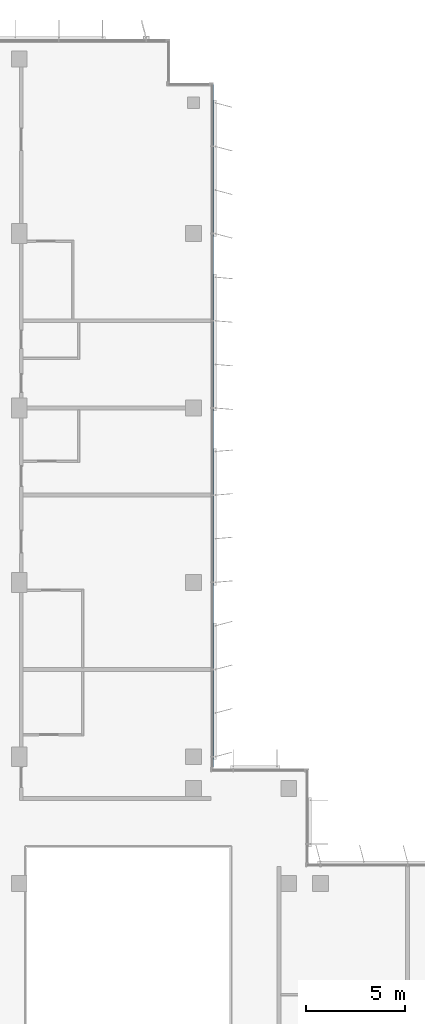
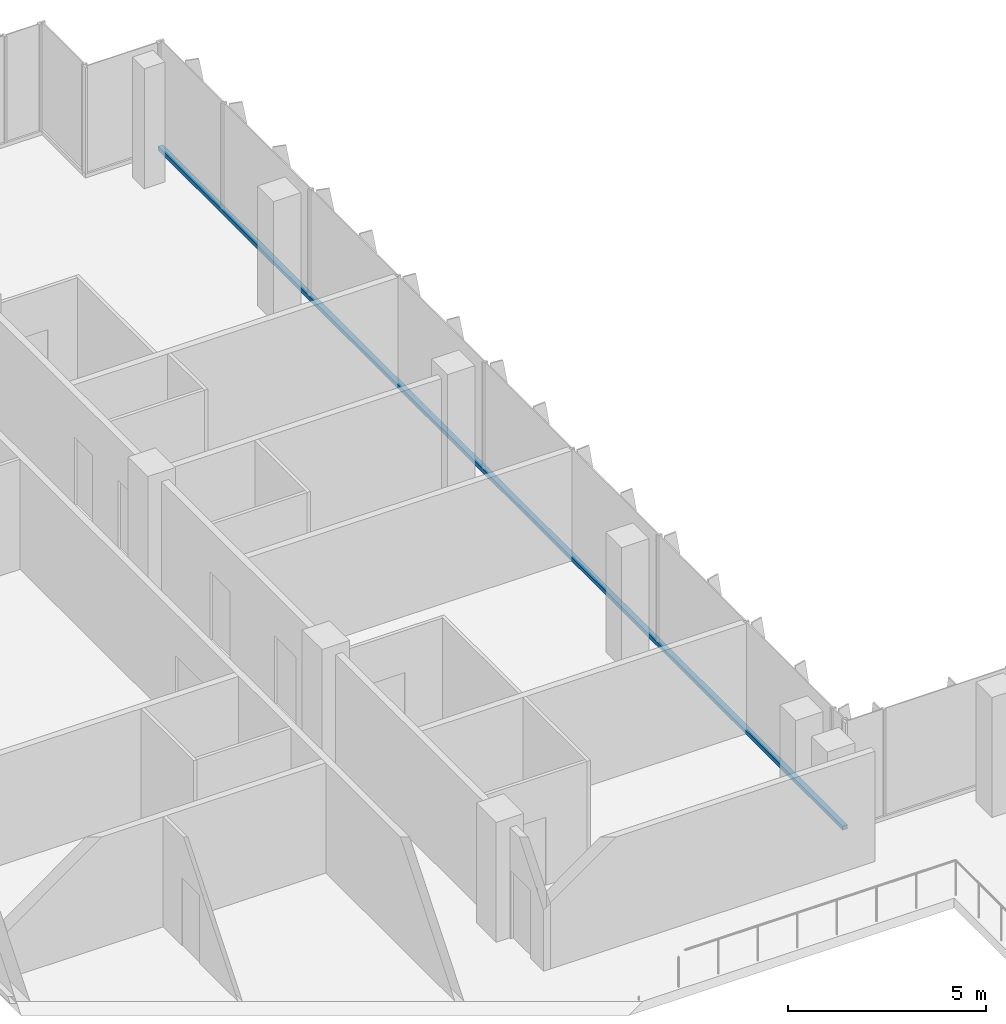
# One storey, part 5 of 15: 1 member, 1 element without a shape of its own.
"""IFC4 building model written with IfcOpenShell, lengths in metres."""

from ifc_helpers import new_model, si_unit, direction, frame, origin, origin_2d, place, context, subcontext, project, spatial, rectangle, extrude, material, material_profile, profile_set, type_object, element, aggregate, save


model = new_model("IFC4")

# Units and contexts
model_context = context("Model", 3, precision=1e-05, world=origin(), true_north=direction((0.0, 1.0)))
body_context = subcontext(model_context, "Body", "Model", "MODEL_VIEW")
ifc_project = project(units=[si_unit("LENGTHUNIT", "METRE"), si_unit("AREAUNIT", "SQUARE_METRE"), si_unit("VOLUMEUNIT", "CUBIC_METRE"), si_unit("PLANEANGLEUNIT", "RADIAN"), si_unit("MASSUNIT", "GRAM", prefix="KILO")], contexts=[model_context])

# Site, building, storey
site_placement = place(None, origin())
site = spatial("IfcSite", under=ifc_project, at=site_placement, CompositionType="ELEMENT")
building_placement = place(site_placement, origin())
building = spatial("IfcBuilding", under=site, at=building_placement, Name="Kemantara Hotel Tower", CompositionType="ELEMENT")
storey_placement = place(building_placement, frame((0.0, 0.0, 279.60009765625)))
storey = spatial("IfcBuildingStorey", under=building, at=storey_placement, Name="L70", CompositionType="ELEMENT", Elevation=279.60009765625)

# Curtain wall, member
ifc_material_1 = material(Name="Low-E tinted double insulated glass 36 mm", Category="glass")
curtain_wall_type = type_object("IfcCurtainWallType", Name="TOWER CURTAIN WALL, FRONT FACES", PredefinedType="USERDEFINED", material=ifc_material_1)
curtain_wall_placement = place(storey_placement, origin())
curtain_wall = element("IfcCurtainWall", 1, at=curtain_wall_placement, inside=storey, type_object=curtain_wall_type, Name="CW4 L70 T4-R15-1", ObjectType="TOWER CURTAIN WALL, FRONT FACES", PredefinedType="USERDEFINED")
ifc_material_2 = material(Name="Aluminium 6063-T6 bronze anodised", Category="aluminium")
ifc_material_profile = material_profile(ifc_material_2, rectangle(XDim=0.14990234375, YDim=0.1201171875, at=origin_2d()), Name="TOWER CURTAIN WALL, FRONT FACES TRANSOM")
ifc_profile_set = profile_set([ifc_material_profile], Name="Aluminium 6063-T6 bronze anodised")
member_type = type_object("IfcMemberType", Name="TOWER CURTAIN WALL, FRONT FACES TRANSOM", PredefinedType="USERDEFINED", material=ifc_profile_set)
member_placement = place(storey_placement, frame((21.925048828125, 26.800048828125, 0.059814453125), z_axis=(0.0, 1.0, 0.0), x_axis=(-1.0, 0.0, 0.0)))
member = element("IfcMember", 2, at=member_placement, type_object=member_type, Name="CW4 sill transom T4-R15-1", ObjectType="TRANSOM", PredefinedType="USERDEFINED", context=body_context, shape_type="SweptSolid", body=[
    extrude(rectangle(XDim=0.14990234375, YDim=0.1201171875, at=origin_2d()), origin(), (0.0, 0.0, 1.0), 34.599853515625),
])
aggregate(curtain_wall, [member])

save(model, "model.ifc")
